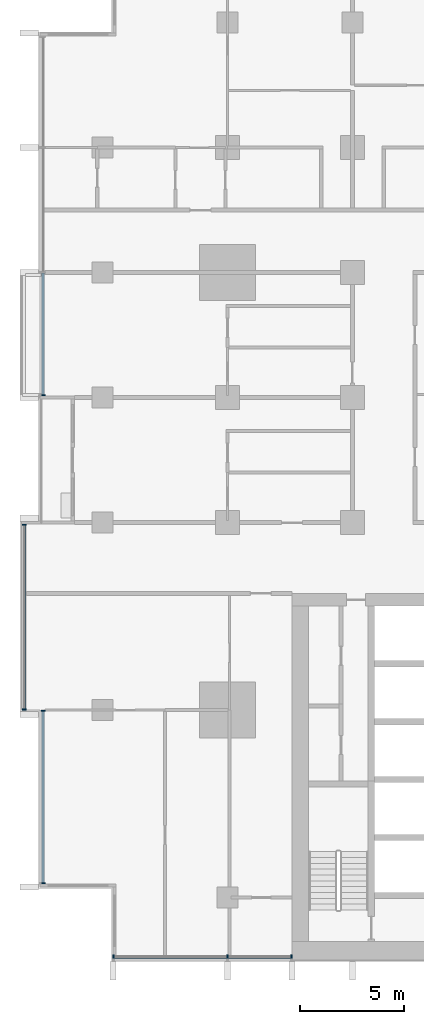
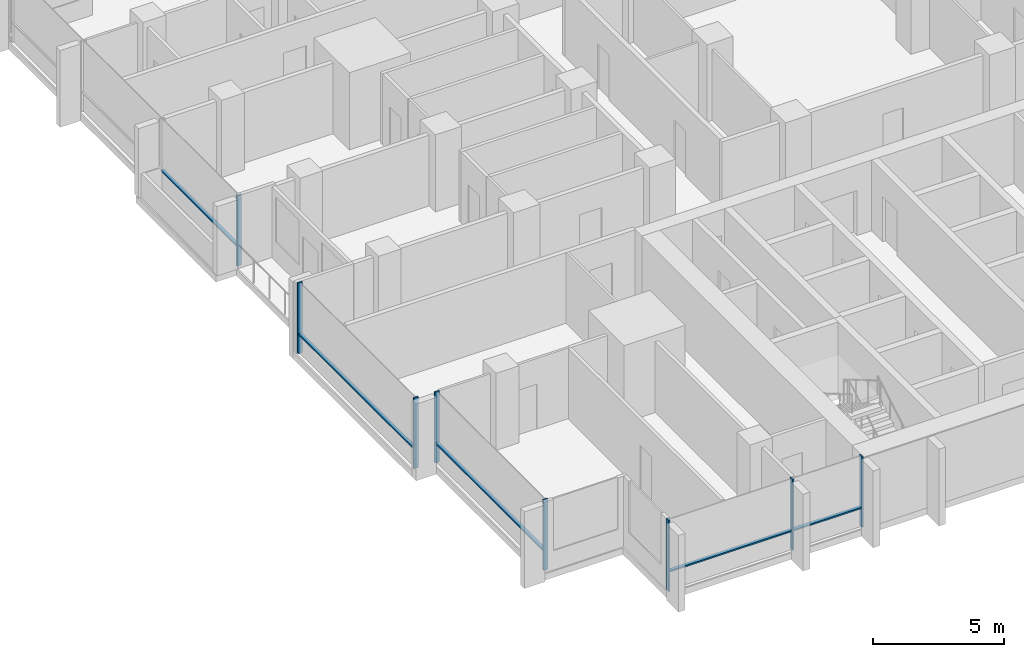
# One storey, part 2 of 17: 13 members, 4 elements without a shape of their own.
"""IFC4 building model written with IfcOpenShell, lengths in metres."""

from ifc_helpers import new_model, si_unit, direction, frame, origin, origin_2d, place, context, subcontext, project, spatial, rectangle, extrude, material, material_profile, profile_set, type_object, element, aggregate, save


model = new_model("IFC4")

# Units and contexts
model_context = context("Model", 3, precision=1e-05, world=origin(), true_north=direction((0.0, 1.0)))
body_context = subcontext(model_context, "Body", "Model", "MODEL_VIEW")
ifc_project = project(units=[si_unit("LENGTHUNIT", "METRE"), si_unit("AREAUNIT", "SQUARE_METRE"), si_unit("VOLUMEUNIT", "CUBIC_METRE"), si_unit("PLANEANGLEUNIT", "RADIAN"), si_unit("MASSUNIT", "GRAM", prefix="KILO")], contexts=[model_context])

# Site, building, storey
site_placement = place(None, origin())
site = spatial("IfcSite", under=ifc_project, at=site_placement, CompositionType="ELEMENT")
building_placement = place(site_placement, origin())
building = spatial("IfcBuilding", under=site, at=building_placement, Name="Finial Court Residences", CompositionType="ELEMENT")
storey_placement = place(building_placement, frame((0.0, 0.0, 99.10009765625)))
storey = spatial("IfcBuildingStorey", under=building, at=storey_placement, Name="L24", CompositionType="ELEMENT", Elevation=99.10009765625)

# Curtain wall, members
ifc_material = material(Name="Bronze anodised aluminium", Category="aluminium")
curtain_wall_type = type_object("IfcCurtainWallType", Name="Unitised curtain wall, lower and middle zones", PredefinedType="NOTDEFINED", material=ifc_material)
curtain_wall_1_placement = place(storey_placement, origin())
curtain_wall_1 = element("IfcCurtainWall", 1, at=curtain_wall_1_placement, inside=storey, type_object=curtain_wall_type, Name="E-L24-CW-S8", PredefinedType="NOTDEFINED")
ifc_material_profile_1 = material_profile(ifc_material, rectangle(XDim=0.199951171875, YDim=0.06494140625, at=origin_2d()), Name="CW1 mullion 65 x 200")
ifc_profile_set_1 = profile_set([ifc_material_profile_1], Name="Bronze anodised aluminium")
member_type_1 = type_object("IfcMemberType", Name="CW1 mullion 65 x 200", PredefinedType="MULLION", material=ifc_profile_set_1)
member_1_placement = place(storey_placement, frame((-21.967529296875, -25.35009765625, 0.0), z_axis=(0.0, 0.0, 1.0), x_axis=(0.0, 1.0, 0.0)))
member_1 = element("IfcMember", 2, at=member_1_placement, type_object=member_type_1, Name="CW1 mullion 1", PredefinedType="MULLION", context=body_context, shape_type="SweptSolid", body=[
    extrude(rectangle(XDim=0.199951171875, YDim=0.06494140625, at=origin_2d()), origin(), (0.0, 0.0, 1.0), 3.2998046875),
])
member_2_placement = place(storey_placement, frame((-16.5, -25.35009765625, 0.0), z_axis=(0.0, 0.0, 1.0), x_axis=(0.0, 1.0, 0.0)))
member_2 = element("IfcMember", 3, at=member_2_placement, type_object=member_type_1, Name="CW1 mullion 2", PredefinedType="MULLION", context=body_context, shape_type="SweptSolid", body=[
    extrude(rectangle(XDim=0.199951171875, YDim=0.06494140625, at=origin_2d()), origin(), (0.0, 0.0, 1.0), 3.2998046875),
])
member_3_placement = place(storey_placement, frame((-13.4326171875, -25.35009765625, 0.0), z_axis=(0.0, 0.0, 1.0), x_axis=(0.0, 1.0, 0.0)))
member_3 = element("IfcMember", 4, at=member_3_placement, type_object=member_type_1, Name="CW1 mullion 3", PredefinedType="MULLION", context=body_context, shape_type="SweptSolid", body=[
    extrude(rectangle(XDim=0.199951171875, YDim=0.06494140625, at=origin_2d()), origin(), (0.0, 0.0, 1.0), 3.2998046875),
])

curtain_wall_2_placement = place(storey_placement, origin())
curtain_wall_2 = element("IfcCurtainWall", 5, at=curtain_wall_2_placement, inside=storey, type_object=curtain_wall_type, Name="E-L24-CW-W10", PredefinedType="NOTDEFINED")
member_4_placement = place(storey_placement, frame((-25.35009765625, -21.8173828125, 0.0), z_axis=(0.0, 0.0, 1.0), x_axis=(-1.0, 0.0, 0.0)))
member_4 = element("IfcMember", 6, at=member_4_placement, type_object=member_type_1, Name="CW1 mullion 1", PredefinedType="MULLION", context=body_context, shape_type="SweptSolid", body=[
    extrude(rectangle(XDim=0.199951171875, YDim=0.06494140625, at=origin_2d()), origin(), (0.0, 0.0, 1.0), 3.2998046875),
])
member_5_placement = place(storey_placement, frame((-25.35009765625, -13.532470703125, 0.0), z_axis=(0.0, 0.0, 1.0), x_axis=(-1.0, 0.0, 0.0)))
member_5 = element("IfcMember", 7, at=member_5_placement, type_object=member_type_1, Name="CW1 mullion 2", PredefinedType="MULLION", context=body_context, shape_type="SweptSolid", body=[
    extrude(rectangle(XDim=0.199951171875, YDim=0.06494140625, at=origin_2d()), origin(), (0.0, 0.0, 1.0), 3.2998046875),
])

curtain_wall_3_placement = place(storey_placement, origin())
curtain_wall_3 = element("IfcCurtainWall", 8, at=curtain_wall_3_placement, inside=storey, type_object=curtain_wall_type, Name="E-L24-CW-W11", PredefinedType="NOTDEFINED")
member_6_placement = place(storey_placement, frame((-26.25, -13.467529296875, 0.0), z_axis=(0.0, 0.0, 1.0), x_axis=(-1.0, 0.0, 0.0)))
member_6 = element("IfcMember", 9, at=member_6_placement, type_object=member_type_1, Name="CW1 mullion 1", PredefinedType="MULLION", context=body_context, shape_type="SweptSolid", body=[
    extrude(rectangle(XDim=0.199951171875, YDim=0.06494140625, at=origin_2d()), origin(), (0.0, 0.0, 1.0), 3.2998046875),
])
member_7_placement = place(storey_placement, frame((-26.25, -4.607421875, 0.0), z_axis=(0.0, 0.0, 1.0), x_axis=(-1.0, 0.0, 0.0)))
member_7 = element("IfcMember", 10, at=member_7_placement, type_object=member_type_1, Name="CW1 mullion 2", PredefinedType="MULLION", context=body_context, shape_type="SweptSolid", body=[
    extrude(rectangle(XDim=0.199951171875, YDim=0.06494140625, at=origin_2d()), origin(), (0.0, 0.0, 1.0), 3.2998046875),
])

# Curtain wall, member
curtain_wall_4_placement = place(storey_placement, origin())
curtain_wall_4 = element("IfcCurtainWall", 11, at=curtain_wall_4_placement, inside=storey, type_object=curtain_wall_type, Name="E-L24-CW-W12", PredefinedType="NOTDEFINED")
member_8_placement = place(storey_placement, frame((-25.35009765625, 1.607421875, 0.0), z_axis=(0.0, 0.0, 1.0), x_axis=(-1.0, 0.0, 0.0)))
member_8 = element("IfcMember", 12, at=member_8_placement, type_object=member_type_1, Name="CW1 mullion 1", PredefinedType="MULLION", context=body_context, shape_type="SweptSolid", body=[
    extrude(rectangle(XDim=0.199951171875, YDim=0.06494140625, at=origin_2d()), origin(), (0.0, 0.0, 1.0), 3.2998046875),
])

# Member
ifc_material_profile_2 = material_profile(ifc_material, rectangle(XDim=0.14990234375, YDim=0.06494140625, at=origin_2d()), Name="CW1 transom 65 x 150")
ifc_profile_set_2 = profile_set([ifc_material_profile_2], Name="Bronze anodised aluminium")
member_type_2 = type_object("IfcMemberType", Name="CW1 transom 65 x 150", PredefinedType="USERDEFINED", material=ifc_profile_set_2)
member_9_placement = place(storey_placement, frame((-21.93505859375, -25.35009765625, 0.89990234375), z_axis=(1.0, 0.0, 0.0), x_axis=(0.0, 1.0, 0.0)))
member_9 = element("IfcMember", 13, at=member_9_placement, type_object=member_type_2, Name="CW1 transom 1.1", ObjectType="TRANSOM", PredefinedType="USERDEFINED", context=body_context, shape_type="SweptSolid", body=[
    extrude(rectangle(XDim=0.14990234375, YDim=0.06494140625, at=origin_2d()), origin(), (0.0, 0.0, 1.0), 5.402587890625),
])

member_10_placement = place(storey_placement, frame((-16.467529296875, -25.35009765625, 0.89990234375), z_axis=(1.0, 0.0, 0.0), x_axis=(0.0, 1.0, 0.0)))
member_10 = element("IfcMember", 14, at=member_10_placement, type_object=member_type_2, Name="CW1 transom 2.1", ObjectType="TRANSOM", PredefinedType="USERDEFINED", context=body_context, shape_type="SweptSolid", body=[
    extrude(rectangle(XDim=0.14990234375, YDim=0.06494140625, at=origin_2d()), origin(), (0.0, 0.0, 1.0), 3.00244140625),
])

aggregate(curtain_wall_1, [member_1, member_2, member_3, member_9, member_10])

member_11_placement = place(storey_placement, frame((-25.35009765625, -21.784912109375, 0.89990234375), z_axis=(0.0, 1.0, 0.0), x_axis=(-1.0, 0.0, 0.0)))
member_11 = element("IfcMember", 15, at=member_11_placement, type_object=member_type_2, Name="CW1 transom 1.1", ObjectType="TRANSOM", PredefinedType="USERDEFINED", context=body_context, shape_type="SweptSolid", body=[
    extrude(rectangle(XDim=0.14990234375, YDim=0.06494140625, at=origin_2d()), origin(), (0.0, 0.0, 1.0), 8.219970703125),
])

aggregate(curtain_wall_2, [member_4, member_5, member_11])

member_12_placement = place(storey_placement, frame((-26.25, -13.43505859375, 0.89990234375), z_axis=(0.0, 1.0, 0.0), x_axis=(-1.0, 0.0, 0.0)))
member_12 = element("IfcMember", 16, at=member_12_placement, type_object=member_type_2, Name="CW1 transom 1.1", ObjectType="TRANSOM", PredefinedType="USERDEFINED", context=body_context, shape_type="SweptSolid", body=[
    extrude(rectangle(XDim=0.14990234375, YDim=0.06494140625, at=origin_2d()), origin(), (0.0, 0.0, 1.0), 8.795166015625),
])

aggregate(curtain_wall_3, [member_6, member_7, member_12])

member_13_placement = place(storey_placement, frame((-25.35009765625, 1.639892578125, 0.89990234375), z_axis=(0.0, 1.0, 0.0), x_axis=(-1.0, 0.0, 0.0)))
member_13 = element("IfcMember", 17, at=member_13_placement, type_object=member_type_2, Name="CW1 transom 1.1", ObjectType="TRANSOM", PredefinedType="USERDEFINED", context=body_context, shape_type="SweptSolid", body=[
    extrude(rectangle(XDim=0.14990234375, YDim=0.06494140625, at=origin_2d()), origin(), (0.0, 0.0, 1.0), 5.82763671875),
])

aggregate(curtain_wall_4, [member_8, member_13])

save(model, "model.ifc")
